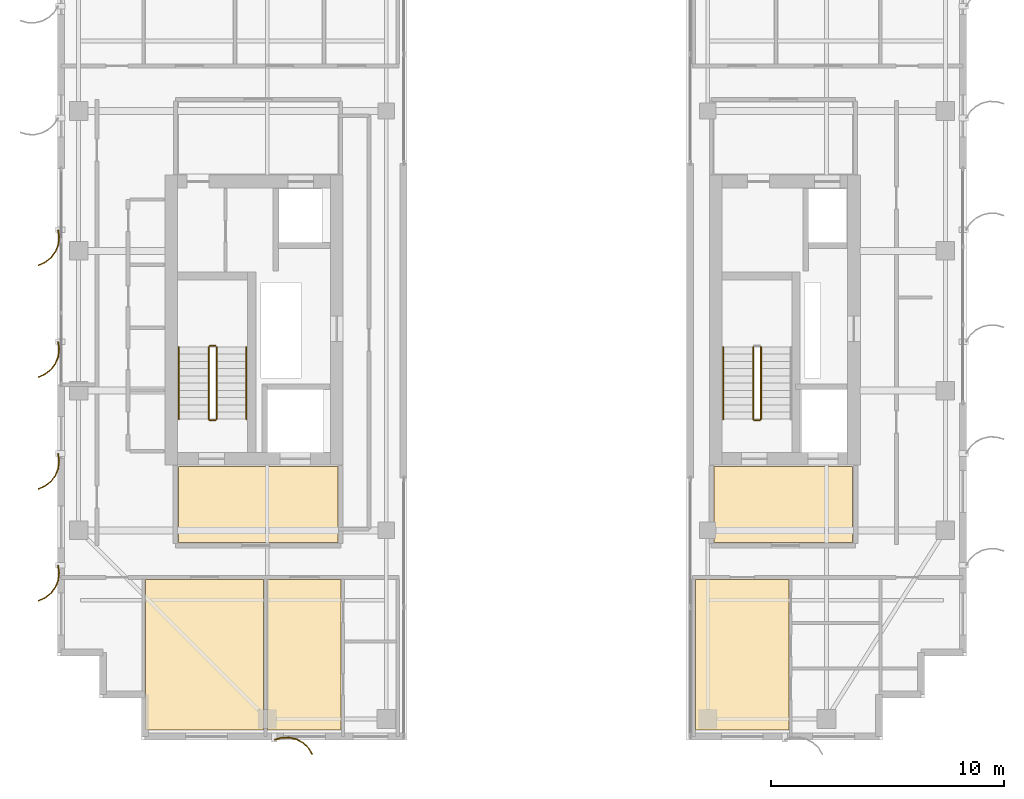
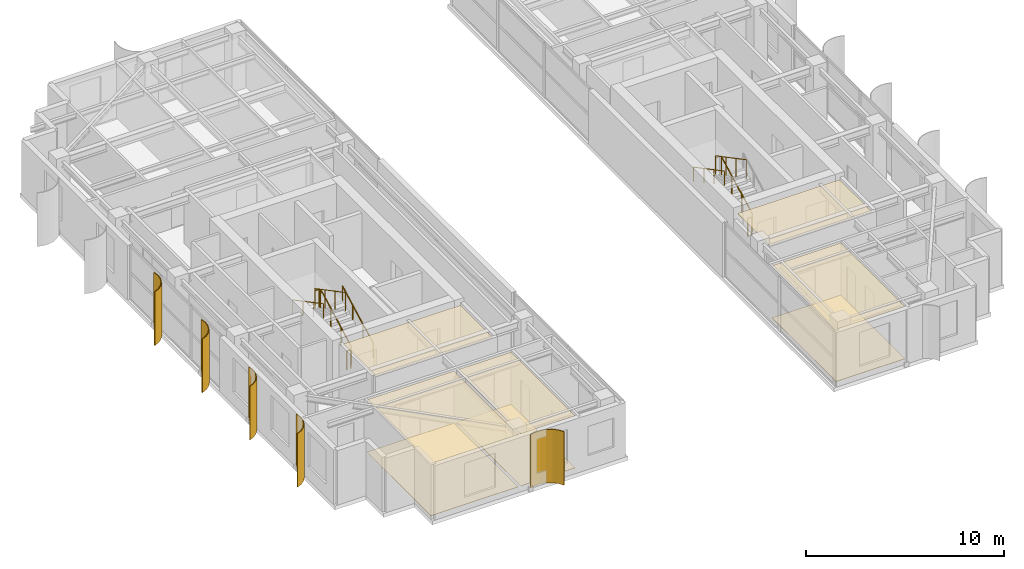
# One storey, part 22 of 24: 10 railings, 8 coverings, 5 shading devices.
"""IFC4 building model written with IfcOpenShell, lengths in metres."""

from ifc_helpers import new_model, si_unit, direction, frame, origin, origin_2d, place, context, subcontext, project, spatial, polyline, circle, outline, extrude, source, transform, mapped, material, layer, layer_set, type_object, element, save


model = new_model("IFC4")

# Units and contexts
model_context = context("Model", 3, precision=1e-05, world=origin(), true_north=direction((0.0, 1.0)))
body_context = subcontext(model_context, "Body", "Model", "MODEL_VIEW")
ifc_project = project(units=[si_unit("LENGTHUNIT", "METRE"), si_unit("AREAUNIT", "SQUARE_METRE"), si_unit("VOLUMEUNIT", "CUBIC_METRE"), si_unit("PLANEANGLEUNIT", "RADIAN"), si_unit("MASSUNIT", "GRAM", prefix="KILO")], contexts=[model_context])

# Site, building, storey
site_placement = place(None, origin())
site = spatial("IfcSite", under=ifc_project, at=site_placement, CompositionType="ELEMENT")
building_placement = place(site_placement, origin())
building = spatial("IfcBuilding", under=site, at=building_placement, Name="Khoralis Quay Care Tower", CompositionType="ELEMENT")
storey_placement = place(building_placement, frame((0.0, 0.0, 234.89990234375)))
storey = spatial("IfcBuildingStorey", under=building, at=storey_placement, Name="L61", CompositionType="ELEMENT", Elevation=234.89990234375)

# Coverings
ifc_material_1 = material(Name="Mineral-fibre acoustic ceiling tile")
ifc_layer_1 = layer(ifc_material_1, 0.01806640625)
ifc_layer_set_1 = layer_set([ifc_layer_1], Name="Mineral-fibre acoustic ceiling tile")
covering_type_1 = type_object("IfcCoveringType", Name="COV-CEIL-AC18", PredefinedType="CEILING", material=ifc_layer_set_1)
covering_1_placement = place(storey_placement, frame((0.0, 0.0, 3.212158203125)))
element("IfcCovering", 1, at=covering_1_placement, inside=storey, type_object=covering_type_1, Name="Suspended Acoustic Ceiling SP-L61-FFLOB-W", PredefinedType="CEILING", context=body_context, shape_type="SweptSolid", body=[
    extrude(outline(polyline([(8.179931640625, 11.47998046875), (15.02001953125, 11.47998046875), (15.02001953125, 14.75), (8.179931640625, 14.75), (8.179931640625, 11.47998046875)])), origin(), (0.0, 0.0, 1.0), 0.017822265625),
])
covering_2_placement = place(storey_placement, frame((0.0, 0.0, 3.212158203125)))
element("IfcCovering", 2, at=covering_2_placement, inside=storey, type_object=covering_type_1, Name="Suspended Acoustic Ceiling SP-L61-FFLOB-E", PredefinedType="CEILING", context=body_context, shape_type="SweptSolid", body=[
    extrude(outline(polyline([(31.179931640625, 11.47998046875), (37.1201171875, 11.47998046875), (37.1201171875, 14.75), (31.179931640625, 14.75), (31.179931640625, 11.47998046875)])), origin(), (0.0, 0.0, 1.0), 0.017822265625),
])
covering_3_placement = place(storey_placement, frame((0.0, 0.0, 3.212158203125)))
element("IfcCovering", 3, at=covering_3_placement, inside=storey, type_object=covering_type_1, Name="Suspended Acoustic Ceiling SP-L61-WS-COM0", PredefinedType="CEILING", context=body_context, shape_type="SweptSolid", body=[
    extrude(outline(polyline([(6.760009765625, 3.419921875), (11.840087890625, 3.419921875), (11.840087890625, 9.89990234375), (6.760009765625, 9.89990234375), (6.760009765625, 3.419921875)])), origin(), (0.0, 0.0, 1.0), 0.017822265625),
])
covering_4_placement = place(storey_placement, frame((0.0, 0.0, 3.212158203125)))
element("IfcCovering", 4, at=covering_4_placement, inside=storey, type_object=covering_type_1, Name="Suspended Acoustic Ceiling SP-L61-WS-CARE1", PredefinedType="CEILING", context=body_context, shape_type="SweptSolid", body=[
    extrude(outline(polyline([(12.0, 3.419921875), (15.169921875, 3.419921875), (15.169921875, 9.89990234375), (12.0, 9.89990234375), (12.0, 3.419921875)])), origin(), (0.0, 0.0, 1.0), 0.017822265625),
])
covering_5_placement = place(storey_placement, frame((0.0, 0.0, 3.212158203125)))
element("IfcCovering", 5, at=covering_5_placement, inside=storey, type_object=covering_type_1, Name="Suspended Acoustic Ceiling SP-L61-ES-LIV0", PredefinedType="CEILING", context=body_context, shape_type="SweptSolid", body=[
    extrude(outline(polyline([(30.3798828125, 3.419921875), (34.389892578125, 3.419921875), (34.389892578125, 9.89990234375), (30.3798828125, 9.89990234375), (30.3798828125, 3.419921875)])), origin(), (0.0, 0.0, 1.0), 0.017822265625),
])
ifc_material_2 = material(Name="Porcelain and non-slip vinyl flooring")
ifc_layer_2 = layer(ifc_material_2, 0.02001953125)
ifc_layer_set_2 = layer_set([ifc_layer_2], Name="Porcelain and non-slip vinyl flooring")
covering_type_2 = type_object("IfcCoveringType", Name="COV-FLOOR-20", PredefinedType="FLOORING", material=ifc_layer_set_2)
covering_6_placement = place(storey_placement, origin())
element("IfcCovering", 6, at=covering_6_placement, inside=storey, type_object=covering_type_2, Name="Resilient Healthcare Flooring SP-L61-WS-COM0", PredefinedType="FLOORING", context=body_context, shape_type="SweptSolid", body=[
    extrude(outline(polyline([(6.760009765625, 3.419921875), (11.840087890625, 3.419921875), (11.840087890625, 9.89990234375), (6.760009765625, 9.89990234375), (6.760009765625, 3.419921875)])), origin(), (0.0, 0.0, 1.0), 0.02001953125),
])
covering_7_placement = place(storey_placement, origin())
element("IfcCovering", 7, at=covering_7_placement, inside=storey, type_object=covering_type_2, Name="Resilient Healthcare Flooring SP-L61-WS-CARE1", PredefinedType="FLOORING", context=body_context, shape_type="SweptSolid", body=[
    extrude(outline(polyline([(12.0, 3.419921875), (15.169921875, 3.419921875), (15.169921875, 9.89990234375), (12.0, 9.89990234375), (12.0, 3.419921875)])), origin(), (0.0, 0.0, 1.0), 0.02001953125),
])
covering_8_placement = place(storey_placement, origin())
element("IfcCovering", 8, at=covering_8_placement, inside=storey, type_object=covering_type_2, Name="Resilient Healthcare Flooring SP-L61-ES-LIV0", PredefinedType="FLOORING", context=body_context, shape_type="SweptSolid", body=[
    extrude(outline(polyline([(30.3798828125, 3.419921875), (34.389892578125, 3.419921875), (34.389892578125, 9.89990234375), (30.3798828125, 9.89990234375), (30.3798828125, 3.419921875)])), origin(), (0.0, 0.0, 1.0), 0.02001953125),
])

# Railings
ifc_material_3 = material(Name="Brushed stainless steel", Category="steel")
railing_type_1 = type_object("IfcRailingType", Name="RL-GUARD-1150", PredefinedType="GUARDRAIL", material=ifc_material_3)
railing_1_placement = place(storey_placement, frame((9.820068359375, 16.77001953125, 0.163818359375)))
element("IfcRailing", 9, at=railing_1_placement, inside=storey, type_object=railing_type_1, Name="L61 ST-T1 stair guard 1", PredefinedType="GUARDRAIL", context=body_context, shape_type="SweptSolid", body=[
    extrude(circle(Radius=0.02392578125, at=origin_2d()), frame((0.0, 0.0, 1.1259765625), z_axis=(0.0, 0.884376766648, 0.46677375099), x_axis=(-1.0, 0.0, 0.0)), (0.0, 0.0, 1.0), 3.50537109375),
    extrude(circle(Radius=0.02099609375, at=origin_2d()), origin(), (0.0, 0.0, 1.0), 1.101806640625),
    extrude(circle(Radius=0.02099609375, at=origin_2d()), frame((0.0, 1.033447265625, 0.54541015625)), (0.0, 0.0, 1.0), 1.101806640625),
    extrude(circle(Radius=0.02099609375, at=origin_2d()), frame((0.0, 2.066650390625, 1.0908203125)), (0.0, 0.0, 1.0), 1.101806640625),
    extrude(circle(Radius=0.02099609375, at=origin_2d()), frame((0.0, 3.10009765625, 1.63623046875)), (0.0, 0.0, 1.0), 1.101806640625),
])
railing_2_placement = place(storey_placement, frame((9.77001953125, 19.919921875, 1.800048828125)))
element("IfcRailing", 10, at=railing_2_placement, inside=storey, type_object=railing_type_1, Name="L61 ST-T1 stair guard 2", PredefinedType="GUARDRAIL", context=body_context, shape_type="SweptSolid", body=[
    extrude(circle(Radius=0.02392578125, at=origin_2d()), frame((0.0, 0.0, 1.1259765625), z_axis=(-1.0, 0.0, 0.0), x_axis=(0.0, -1.0, 0.0)), (0.0, 0.0, 1.0), 0.239990234375),
    extrude(circle(Radius=0.02099609375, at=origin_2d()), origin(), (0.0, 0.0, 1.0), 1.101806640625),
    extrude(circle(Radius=0.02099609375, at=origin_2d()), frame((-0.239990234375, 0.0, 0.0)), (0.0, 0.0, 1.0), 1.101806640625),
])
railing_3_placement = place(storey_placement, frame((9.47998046875, 19.8701171875, 1.963623046875)))
element("IfcRailing", 11, at=railing_3_placement, inside=storey, type_object=railing_type_1, Name="L61 ST-T1 stair guard 3", PredefinedType="GUARDRAIL", context=body_context, shape_type="SweptSolid", body=[
    extrude(circle(Radius=0.02392578125, at=origin_2d()), frame((0.0, 0.0, 1.1259765625), z_axis=(0.0, -0.884348015382, 0.466828220752), x_axis=(1.0, 0.0, 0.0)), (0.0, 0.0, 1.0), 3.505615234375),
    extrude(circle(Radius=0.02099609375, at=origin_2d()), origin(), (0.0, 0.0, 1.0), 1.101806640625),
    extrude(circle(Radius=0.02099609375, at=origin_2d()), frame((0.0, -1.033447265625, 0.54541015625)), (0.0, 0.0, 1.0), 1.101806640625),
    extrude(circle(Radius=0.02099609375, at=origin_2d()), frame((0.0, -2.066650390625, 1.091064453125)), (0.0, 0.0, 1.0), 1.101806640625),
    extrude(circle(Radius=0.02099609375, at=origin_2d()), frame((0.0, -3.10009765625, 1.636474609375)), (0.0, 0.0, 1.0), 1.101806640625),
])
railing_4_placement = place(storey_placement, frame((9.77001953125, 16.719970703125, 0.0)))
element("IfcRailing", 12, at=railing_4_placement, inside=storey, type_object=railing_type_1, Name="L61 ST-T1 stair guard 4", PredefinedType="GUARDRAIL", context=body_context, shape_type="SweptSolid", body=[
    extrude(circle(Radius=0.02392578125, at=origin_2d()), frame((0.0, 0.0, 1.1259765625), z_axis=(-1.0, 0.0, 0.0), x_axis=(0.0, -1.0, 0.0)), (0.0, 0.0, 1.0), 0.239990234375),
    extrude(circle(Radius=0.02099609375, at=origin_2d()), origin(), (0.0, 0.0, 1.0), 1.101806640625),
    extrude(circle(Radius=0.02099609375, at=origin_2d()), frame((-0.239990234375, 0.0, 0.0)), (0.0, 0.0, 1.0), 1.101806640625),
])
railing_5_placement = place(storey_placement, frame((33.18994140625, 16.77001953125, 0.163818359375)))
element("IfcRailing", 13, at=railing_5_placement, inside=storey, type_object=railing_type_1, Name="L61 ST-T2 stair guard 1", PredefinedType="GUARDRAIL", context=body_context, shape_type="SweptSolid", body=[
    extrude(circle(Radius=0.02392578125, at=origin_2d()), frame((0.0, 0.0, 1.1259765625), z_axis=(0.0, 0.884376766648, 0.46677375099), x_axis=(-1.0, 0.0, 0.0)), (0.0, 0.0, 1.0), 3.50537109375),
    extrude(circle(Radius=0.02099609375, at=origin_2d()), origin(), (0.0, 0.0, 1.0), 1.101806640625),
    extrude(circle(Radius=0.02099609375, at=origin_2d()), frame((0.0, 1.033447265625, 0.54541015625)), (0.0, 0.0, 1.0), 1.101806640625),
    extrude(circle(Radius=0.02099609375, at=origin_2d()), frame((0.0, 2.066650390625, 1.0908203125)), (0.0, 0.0, 1.0), 1.101806640625),
    extrude(circle(Radius=0.02099609375, at=origin_2d()), frame((0.0, 3.10009765625, 1.63623046875)), (0.0, 0.0, 1.0), 1.101806640625),
])
railing_6_placement = place(storey_placement, frame((32.85009765625, 19.8701171875, 1.963623046875)))
element("IfcRailing", 14, at=railing_6_placement, inside=storey, type_object=railing_type_1, Name="L61 ST-T2 stair guard 3", PredefinedType="GUARDRAIL", context=body_context, shape_type="SweptSolid", body=[
    extrude(circle(Radius=0.02392578125, at=origin_2d()), frame((0.0, 0.0, 1.1259765625), z_axis=(0.0, -0.884348015382, 0.466828220752), x_axis=(1.0, 0.0, 0.0)), (0.0, 0.0, 1.0), 3.505615234375),
    extrude(circle(Radius=0.02099609375, at=origin_2d()), origin(), (0.0, 0.0, 1.0), 1.101806640625),
    extrude(circle(Radius=0.02099609375, at=origin_2d()), frame((0.0, -1.033447265625, 0.54541015625)), (0.0, 0.0, 1.0), 1.101806640625),
    extrude(circle(Radius=0.02099609375, at=origin_2d()), frame((0.0, -2.066650390625, 1.091064453125)), (0.0, 0.0, 1.0), 1.101806640625),
    extrude(circle(Radius=0.02099609375, at=origin_2d()), frame((0.0, -3.10009765625, 1.636474609375)), (0.0, 0.0, 1.0), 1.101806640625),
])
railing_7_placement = place(storey_placement, frame((33.139892578125, 16.719970703125, 0.0)))
element("IfcRailing", 15, at=railing_7_placement, inside=storey, type_object=railing_type_1, Name="L61 ST-T2 stair guard 4", PredefinedType="GUARDRAIL", context=body_context, shape_type="SweptSolid", body=[
    extrude(circle(Radius=0.02392578125, at=origin_2d()), frame((0.0, 0.0, 1.1259765625), z_axis=(-1.0, 0.0, 0.0), x_axis=(0.0, -1.0, 0.0)), (0.0, 0.0, 1.0), 0.239990234375),
    extrude(circle(Radius=0.02099609375, at=origin_2d()), origin(), (0.0, 0.0, 1.0), 1.101806640625),
    extrude(circle(Radius=0.02099609375, at=origin_2d()), frame((-0.239990234375, 0.0, 0.0)), (0.0, 0.0, 1.0), 1.101806640625),
])
railing_type_2 = type_object("IfcRailingType", Name="RL-HAND-900", PredefinedType="HANDRAIL", material=ifc_material_3)
railing_8_placement = place(storey_placement, frame((11.10009765625, 16.77001953125, 0.163818359375)))
element("IfcRailing", 16, at=railing_8_placement, inside=storey, type_object=railing_type_2, Name="L61 ST-T1 stair handrail 1", PredefinedType="HANDRAIL", context=body_context, shape_type="SweptSolid", body=[
    extrude(circle(Radius=0.02392578125, at=origin_2d()), frame((0.0, 0.0, 0.8759765625), z_axis=(0.0, 0.884376766648, 0.46677375099), x_axis=(-1.0, 0.0, 0.0)), (0.0, 0.0, 1.0), 3.50537109375),
    extrude(circle(Radius=0.02099609375, at=origin_2d()), origin(), (0.0, 0.0, 1.0), 0.851806640625),
    extrude(circle(Radius=0.02099609375, at=origin_2d()), frame((0.0, 1.033447265625, 0.54541015625)), (0.0, 0.0, 1.0), 0.851806640625),
    extrude(circle(Radius=0.02099609375, at=origin_2d()), frame((0.0, 2.066650390625, 1.0908203125)), (0.0, 0.0, 1.0), 0.851806640625),
    extrude(circle(Radius=0.02099609375, at=origin_2d()), frame((0.0, 3.10009765625, 1.63623046875)), (0.0, 0.0, 1.0), 0.851806640625),
])
for number, where, name in (
    (17, (8.199951171875, 19.8701171875, 1.963623046875), "L61 ST-T1 stair handrail 2"),
    (18, (31.570068359375, 19.8701171875, 1.963623046875), "L61 ST-T2 stair handrail 2"),
):
    element("IfcRailing", number, at=place(storey_placement, frame(where)), inside=storey, type_object=railing_type_2, Name=name, PredefinedType="HANDRAIL", context=body_context, shape_type="SweptSolid", body=[
        extrude(circle(Radius=0.02392578125, at=origin_2d()), frame((0.0, 0.0, 0.8759765625), z_axis=(0.0, -0.884348015382, 0.466828220752), x_axis=(1.0, 0.0, 0.0)), (0.0, 0.0, 1.0), 3.505615234375),
        extrude(circle(Radius=0.02099609375, at=origin_2d()), origin(), (0.0, 0.0, 1.0), 0.851806640625),
        extrude(circle(Radius=0.02099609375, at=origin_2d()), frame((0.0, -1.033447265625, 0.54541015625)), (0.0, 0.0, 1.0), 0.851806640625),
        extrude(circle(Radius=0.02099609375, at=origin_2d()), frame((0.0, -2.066650390625, 1.091064453125)), (0.0, 0.0, 1.0), 0.851806640625),
        extrude(circle(Radius=0.02099609375, at=origin_2d()), frame((0.0, -3.10009765625, 1.636474609375)), (0.0, 0.0, 1.0), 0.851806640625),
    ])

# Shading devices
ifc_material_4 = material(Name="Brushed pale anodised aluminium", Category="aluminium")
ifc_layer_3 = layer(ifc_material_4, 0.044921875)
ifc_layer_set_3 = layer_set([ifc_layer_3], Name="Brushed pale anodised aluminium")
shading_device_type = type_object("IfcShadingDeviceType", Name="SHD-FIN-1250", PredefinedType="USERDEFINED", material=ifc_layer_set_3)
shared_shape_1 = source(origin(), body_context, "Body", "SweptSolid", [
    extrude(outline(polyline([(0.0, 0.0), (-0.04833984375, 0.32275390625), (-0.01123046875, 0.64697265625), (0.1083984375, 0.950439453125), (0.302490234375, 1.212890625), (0.557861328125, 1.416015625), (0.85693359375, 1.546142578125), (0.869384765625, 1.5029296875), (0.5810546875, 1.37744140625), (0.334716796875, 1.181640625), (0.147705078125, 0.9287109375), (0.032470703125, 0.635986328125), (-0.003173828125, 0.323486328125), (0.043212890625, 0.012451171875), (0.0, 0.0)])), origin(), (0.0, 0.0, 1.0), 3.300048828125),
])
for number, where, z_axis, x_axis, name in (
    (19, (3.030029296875, 24.89990234375, 0.02001953125), (0.0, 0.0, 1.0), (-1.0, 0.0, 0.0), "L61 Curved Solar Fin P1E7-03"),
    (20, (3.030029296875, 20.10009765625, 0.02001953125), (0.0, 0.0, 1.0), (-1.0, 0.0, 0.0), "L61 Curved Solar Fin P1E7-04"),
    (21, (3.030029296875, 15.300048828125, 0.02001953125), (0.0, 0.0, 1.0), (-1.0, 0.0, 0.0), "L61 Curved Solar Fin P1E7-05"),
    (22, (3.030029296875, 10.5, 0.02001953125), (0.0, 0.0, 1.0), (-1.0, 0.0, 0.0), "L61 Curved Solar Fin P1E7-06"),
):
    element("IfcShadingDevice", number, at=place(storey_placement, frame(where, z_axis=z_axis, x_axis=x_axis)), inside=storey, type_object=shading_device_type, Name=name, ObjectType="FIN", PredefinedType="USERDEFINED", context=body_context, shape_type="MappedRepresentation", body=[
        mapped(shared_shape_1, transform((0.0, 0.0, 0.0), scale=1.0)),
    ])
shared_shape_2 = source(origin(), body_context, "Body", "SweptSolid", [
    extrude(outline(polyline([(0.0, 0.0), (-0.0927734375, 0.31298828125), (-0.101318359375, 0.63916015625), (-0.025146484375, 0.956298828125), (0.130615234375, 1.2431640625), (0.355224609375, 1.479736328125), (0.633544921875, 1.650390625), (0.65185546875, 1.609130859375), (0.383544921875, 1.44482421875), (0.1669921875, 1.216796875), (0.01708984375, 0.940185546875), (-0.056396484375, 0.63427734375), (-0.04833984375, 0.31982421875), (0.041015625, 0.018310546875), (0.0, 0.0)])), origin(), (0.0, 0.0, 1.0), 3.300048828125),
])
shading_device_placement = place(storey_placement, frame((12.300048828125, 3.030029296875, 0.02001953125), z_axis=(0.0, 0.0, 1.0), x_axis=(0.0, -1.0, 0.0)))
element("IfcShadingDevice", 23, at=shading_device_placement, inside=storey, type_object=shading_device_type, Name="L61 Curved Solar Fin P1E0-01", ObjectType="FIN", PredefinedType="USERDEFINED", context=body_context, shape_type="MappedRepresentation", body=[
    mapped(shared_shape_2, transform((0.0, 0.0, 0.0), scale=1.0)),
])

save(model, "model.ifc")
